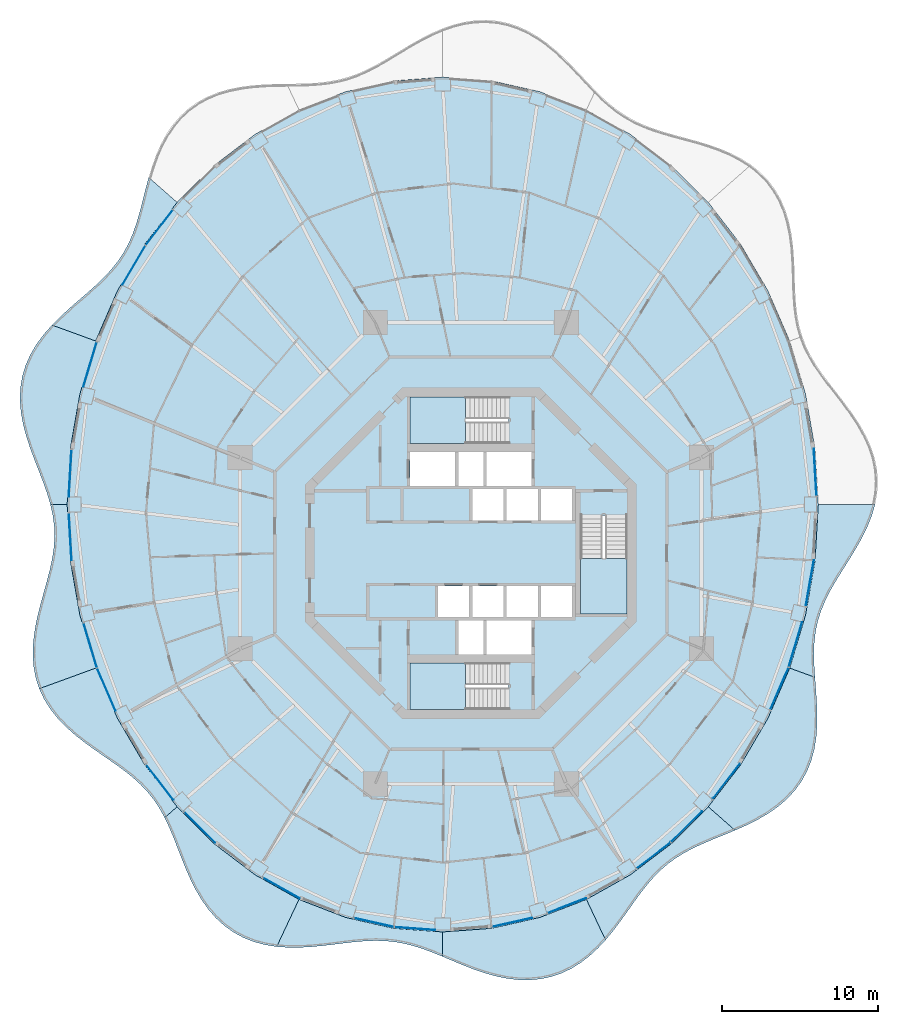
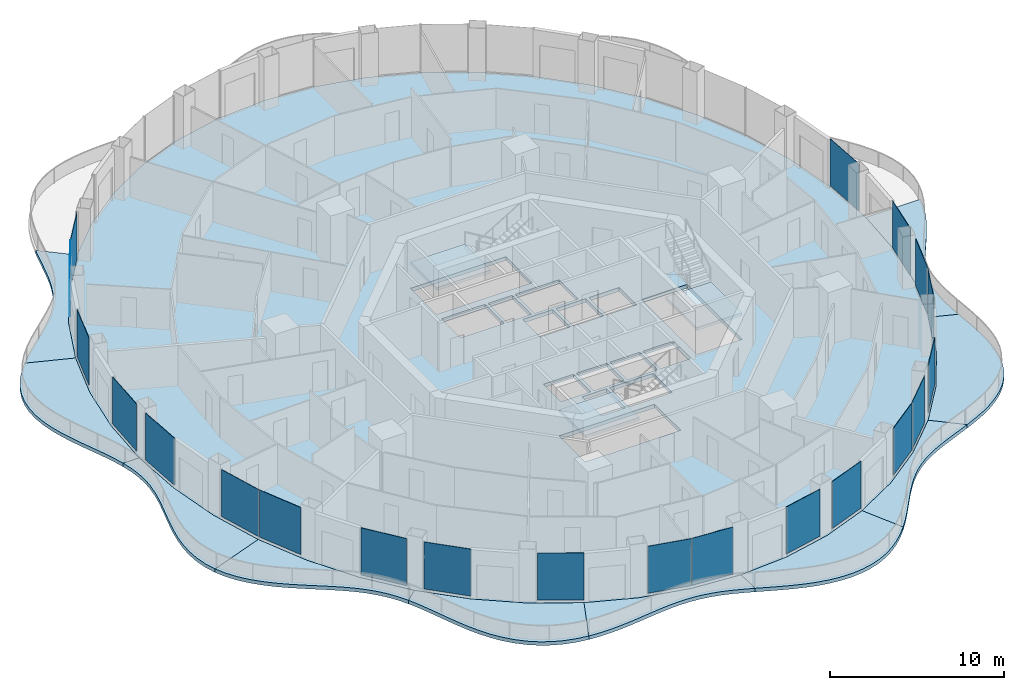
# One storey, part 8 of 18: 21 plates, 14 slabs, 24 elements without a shape of their own.
"""IFC4 building model written with IfcOpenShell, lengths in metres."""

import ifcopenshell
import ifcopenshell.guid

model = None  # the IFC model being written
_history = None  # IfcOwnerHistory: only IFC2X3 demands one
_inside = {}  # id of a spatial element -> (the spatial element, [elements in it])
_under = {}  # id of a project, library or spatial element -> (it, [spatial elements below it])
_declared = {}  # id of a project -> (the project, [libraries it declares])
_typed = {}  # id of a type object -> (the type object, [elements of that type])
_made_of = {}  # id of a material, layer set ... -> (it, [elements and type objects made of it])


def new_model(schema):
    """Start an empty IFC model of exactly this schema.

    Asked for "IFC4X3", IfcOpenShell would pick the latest addendum, in which some entities
    have other attributes; the version numbers below select the first issue.
    IFC2X3 requires an IfcOwnerHistory on every rooted entity: one is made here for all.
    """
    global model, _history
    if schema == "IFC4X3":
        model = ifcopenshell.file(schema_version=(4, 3, 0, 0))
    else:
        model = ifcopenshell.file(schema=schema)
    _inside.clear()
    _under.clear()
    _declared.clear()
    _typed.clear()
    _made_of.clear()
    _history = None
    if model.schema == "IFC2X3":
        org = make("IfcOrganization", Name="unknown")
        user = make(
            "IfcPersonAndOrganization",
            ThePerson=make("IfcPerson", FamilyName="unknown"),
            TheOrganization=org,
        )
        app = make(
            "IfcApplication",
            ApplicationDeveloper=org,
            Version="unknown",
            ApplicationFullName="unknown",
            ApplicationIdentifier="unknown",
        )
        _history = make(
            "IfcOwnerHistory",
            OwningUser=user,
            OwningApplication=app,
            ChangeAction="ADDED",
            CreationDate=0,
        )
    return model


def make(cls, **values):
    """One entity of the class cls with the attributes given. An attribute that is None is left unset."""
    return model.create_entity(
        cls, **{name: value for name, value in values.items() if value is not None}
    )


def rooted(cls, **values):
    """An entity with a GlobalId (a new one), such as an element, a storey or a relation."""
    return make(cls, GlobalId=ifcopenshell.guid.new(), OwnerHistory=_history, **values)


def si_unit(unit_type, name, prefix=None):
    """IfcSIUnit, for example si_unit("LENGTHUNIT", "METRE", prefix="MILLI")."""
    return make("IfcSIUnit", UnitType=unit_type, Prefix=prefix, Name=name)


def assignment(units):
    """IfcUnitAssignment: the units of a project."""
    return None if units is None else make("IfcUnitAssignment", Units=units)


def point(xyz):
    """IfcCartesianPoint."""
    return None if xyz is None else make("IfcCartesianPoint", Coordinates=xyz)


def direction(xyz):
    """IfcDirection."""
    return None if xyz is None else make("IfcDirection", DirectionRatios=xyz)


def frame(location, z_axis=None, x_axis=None):
    """IfcAxis2Placement3D, a coordinate frame: its origin and axes. An axis left out is left unset."""
    return make(
        "IfcAxis2Placement3D",
        Location=point(location),
        Axis=direction(z_axis),
        RefDirection=direction(x_axis),
    )


def frame_2d(location, x_axis=None):
    """IfcAxis2Placement2D, a coordinate frame in the plane: its origin and x axis."""
    return make(
        "IfcAxis2Placement2D", Location=point(location), RefDirection=direction(x_axis)
    )


def origin():
    """The frame at (0, 0, 0) with its axes left unset."""
    return frame((0.0, 0.0, 0.0))


def origin_2d():
    """The frame at (0, 0) in the plane with its x axis left unset."""
    return frame_2d((0.0, 0.0))


def place(relative_to, where):
    """IfcLocalPlacement: puts the frame where relative to a parent placement (None: the world)."""
    return make(
        "IfcLocalPlacement", PlacementRelTo=relative_to, RelativePlacement=where
    )


def context(
    kind, dimensions, precision=None, world=None, true_north=None, identifier=None
):
    """IfcGeometricRepresentationContext, for example the 3D "Model" context."""
    return make(
        "IfcGeometricRepresentationContext",
        ContextIdentifier=identifier,
        ContextType=kind,
        CoordinateSpaceDimension=dimensions,
        Precision=precision,
        WorldCoordinateSystem=world,
        TrueNorth=true_north,
    )


def subcontext(parent, identifier, kind, view, scale=None):
    """IfcGeometricRepresentationSubContext, for example "Body" below "Model"."""
    return make(
        "IfcGeometricRepresentationSubContext",
        ContextIdentifier=identifier,
        ContextType=kind,
        ParentContext=parent,
        TargetScale=scale,
        TargetView=view,
    )


def project(units=None, contexts=None):
    """IfcProject with its units and contexts."""
    return rooted(
        "IfcProject",
        Name="project",
        RepresentationContexts=contexts,
        UnitsInContext=assignment(units),
    )


def spatial(cls, under=None, at=None, **own):
    """A site, building, storey or space (cls), placed at a placement, below another one or the project."""
    s = rooted(cls, ObjectPlacement=at, **own)
    if under is not None:
        _under.setdefault(under.id(), (under, []))[1].append(s)
    return s


def polyline(points):
    """IfcPolyline through the points."""
    return make("IfcPolyline", Points=[point(p) for p in points])


def profile(cls, at=None, kind="AREA", **sizes):
    """A parametric profile (cls). Its sizes go by their IFC names, for example OverallWidth=200.0."""
    return make(cls, ProfileType=kind, Position=at, **sizes)


def rectangle(**sizes):
    """IfcRectangleProfileDef."""
    return profile("IfcRectangleProfileDef", **sizes)


def outline(outer, holes=None, kind="AREA"):
    """IfcArbitraryClosedProfileDef: a profile drawn as a closed curve; with holes, ...WithVoids."""
    if holes is None:
        return make("IfcArbitraryClosedProfileDef", ProfileType=kind, OuterCurve=outer)
    return make(
        "IfcArbitraryProfileDefWithVoids",
        ProfileType=kind,
        OuterCurve=outer,
        InnerCurves=holes,
    )


def extrude(swept, where, along, depth):
    """IfcExtrudedAreaSolid: the profile swept, set in the frame where, extruded along a direction by depth."""
    return make(
        "IfcExtrudedAreaSolid",
        SweptArea=swept,
        Position=where,
        ExtrudedDirection=direction(along),
        Depth=depth,
    )


def shape(context_of_items, identifier, shape_type, items):
    """IfcShapeRepresentation: the items that make up one representation, for example the "Body"."""
    return make(
        "IfcShapeRepresentation",
        ContextOfItems=context_of_items,
        RepresentationIdentifier=identifier,
        RepresentationType=shape_type,
        Items=items,
    )


def material(Name=None, Category=None):
    """IfcMaterial."""
    return make("IfcMaterial", Name=Name, Category=Category)


def layer(
    of_material, thickness, ventilated=None, Name=None, Category=None, Priority=None
):
    """IfcMaterialLayer: one layer of a wall or slab, of a material (None: an air gap)."""
    return make(
        "IfcMaterialLayer",
        Material=of_material,
        LayerThickness=thickness,
        IsVentilated=ventilated,
        Name=Name,
        Category=Category,
        Priority=Priority,
    )


def layer_set(layers, Name=None):
    """IfcMaterialLayerSet."""
    return make("IfcMaterialLayerSet", MaterialLayers=layers, LayerSetName=Name)


def made_of(thing, what):
    """Note that an element or type object is made of a material, layer set ...; save() writes the relation."""
    if what is not None:
        _made_of.setdefault(what.id(), (what, []))[1].append(thing)
    return thing


def type_object(cls, material=None, **own):
    """A type object (cls), such as IfcWallType, which elements share."""
    return made_of(rooted(cls, **own), material)


def element(
    cls,
    number,
    at=None,
    inside=None,
    cuts=None,
    type_object=None,
    material=None,
    context=None,
    identifier="Body",
    shape_type=None,
    held_by="IfcProductDefinitionShape",
    body=None,
    shapes=None,
    **own,
):
    """One element of the class cls, such as IfcWall. Its Tag is "e" and its number.

    at: its placement. inside: the storey or other place that contains it. cuts: it is an
    opening in that element (IfcRelVoidsElement). A single representation is given by context,
    identifier, shape_type and body (its items); several are given by shapes. held_by: the class
    of the entity that holds the representations. save() writes the other relations.
    """
    e = rooted(cls, Tag="e%d" % number, ObjectPlacement=at, **own)
    if body is not None:
        shapes = [shape(context, identifier, shape_type, body)]
    if shapes is not None:
        e.Representation = make(held_by, Representations=shapes)
    if inside is not None:
        _inside.setdefault(inside.id(), (inside, []))[1].append(e)
    if cuts is not None:
        rooted(
            "IfcRelVoidsElement", RelatingBuildingElement=cuts, RelatedOpeningElement=e
        )
    if type_object is not None:
        _typed.setdefault(type_object.id(), (type_object, []))[1].append(e)
    return made_of(e, material)


def aggregate(whole, parts):
    """IfcRelAggregates: a whole, such as a stair, and the parts it consists of."""
    return rooted("IfcRelAggregates", RelatingObject=whole, RelatedObjects=parts)


def save(model, path):
    """Write the relations noted so far, then the file.

    IfcRelAggregates (storeys below a building ...), IfcRelContainedInSpatialStructure (elements
    in a storey), IfcRelDefinesByType, IfcRelAssociatesMaterial and IfcRelDeclares: one each for
    every whole, place, type object, material and project.
    """
    for whole, parts in _under.values():
        aggregate(whole, parts)
    for where, things in _inside.values():
        rooted(
            "IfcRelContainedInSpatialStructure",
            RelatedElements=things,
            RelatingStructure=where,
        )
    for kind, things in _typed.values():
        rooted("IfcRelDefinesByType", RelatedObjects=things, RelatingType=kind)
    for what, things in _made_of.values():
        rooted("IfcRelAssociatesMaterial", RelatedObjects=things, RelatingMaterial=what)
    for by, libraries in _declared.values():
        rooted("IfcRelDeclares", RelatingContext=by, RelatedDefinitions=libraries)
    model.write(path)


model = new_model("IFC4")

# Units and contexts
model_context = context("Model", 3, precision=1e-05, world=origin(), true_north=direction((0.0, 1.0)))
body_context = subcontext(model_context, "Body", "Model", "MODEL_VIEW")
ifc_project = project(units=[si_unit("LENGTHUNIT", "METRE"), si_unit("AREAUNIT", "SQUARE_METRE"), si_unit("VOLUMEUNIT", "CUBIC_METRE"), si_unit("PLANEANGLEUNIT", "RADIAN"), si_unit("MASSUNIT", "GRAM", prefix="KILO")], contexts=[model_context])

# Site, building, storey
site_placement = place(None, origin())
site = spatial("IfcSite", under=ifc_project, at=site_placement, CompositionType="ELEMENT")
building_placement = place(site_placement, origin())
building = spatial("IfcBuilding", under=site, at=building_placement, Name="Nagisa Residences", CompositionType="ELEMENT")
storey_placement = place(building_placement, frame((0.0, 0.0, 215.89990234375)))
storey = spatial("IfcBuildingStorey", under=building, at=storey_placement, Name="L54", CompositionType="ELEMENT", Elevation=215.89990234375)

# Slabs
ifc_material_1 = material(Name="Concrete C40/50", Category="concrete")
ifc_layer_1 = layer(ifc_material_1, 0.25)
ifc_layer_set_1 = layer_set([ifc_layer_1], Name="BALCONY SLAB 250")
slab_type_1 = type_object("IfcSlabType", Name="BALCONY SLAB 250", PredefinedType="FLOOR", material=ifc_layer_set_1)
slab_1_placement = place(storey_placement, frame((0.0, 0.0, -0.25)))
element("IfcSlab", 1, at=slab_1_placement, inside=storey, type_object=slab_type_1, Name="slab:L54:bal06", PredefinedType="FLOOR", context=body_context, shape_type="SweptSolid", body=[
    extrude(outline(polyline([(-20.636474609375, 24.08154296875), (-20.837646484375, 23.327392578125), (-21.025390625, 22.583984375), (-21.2138671875, 21.861083984375), (-21.417236328125, 21.166259765625), (-21.648193359375, 20.50439453125), (-21.91748046875, 19.878173828125), (-22.233154296875, 19.287353515625), (-22.6005859375, 18.728759765625), (-23.0205078125, 18.197998046875), (-23.4912109375, 17.68798828125), (-24.006591796875, 17.19140625), (-24.557373046875, 16.699462890625), (-25.131103515625, 16.203857421875), (-25.71337890625, 15.6962890625), (-26.288330078125, 15.169921875), (-26.839111328125, 14.619140625), (-24.037841796875, 13.599365234375), (-22.645263671875, 16.812744140625), (-20.89599609375, 19.791748046875), (-18.820068359375, 22.4853515625), (-20.636474609375, 24.08154296875)])), origin(), (0.0, 0.0, 1.0), 0.25),
])
slab_2_placement = place(storey_placement, frame((0.0, 0.0, -0.25)))
element("IfcSlab", 2, at=slab_2_placement, inside=storey, type_object=slab_type_1, Name="slab:L54:bal07", PredefinedType="FLOOR", context=body_context, shape_type="SweptSolid", body=[
    extrude(outline(polyline([(-26.839111328125, 14.619140625), (-27.364990234375, 14.020751953125), (-27.8310546875, 13.3896484375), (-28.22314453125, 12.725830078125), (-28.52978515625, 12.03076171875), (-28.744140625, 11.30859375), (-28.863037109375, 10.56396484375), (-28.88818359375, 9.80322265625), (-28.82568359375, 9.032958984375), (-28.68603515625, 8.259765625), (-28.482666015625, 7.489501953125), (-28.232421875, 6.7275390625), (-27.9541015625, 5.977294921875), (-27.6669921875, 5.241455078125), (-27.389892578125, 4.5205078125), (-27.140380859375, 3.8134765625), (-26.934326171875, 3.11767578125), (-25.8701171875, 3.11767578125), (-25.6640625, 6.69287109375), (-25.0498046875, 10.206787109375), (-24.037841796875, 13.599365234375), (-26.839111328125, 14.619140625)])), origin(), (0.0, 0.0, 1.0), 0.25),
])
slab_3_placement = place(storey_placement, frame((0.0, 0.0, -0.25)))
element("IfcSlab", 3, at=slab_3_placement, inside=storey, type_object=slab_type_1, Name="slab:L54:bal08", PredefinedType="FLOOR", context=body_context, shape_type="SweptSolid", body=[
    extrude(outline(polyline([(-26.934326171875, 3.11767578125), (-26.782958984375, 2.4296875), (-26.694580078125, 1.74462890625), (-26.6728515625, 1.057861328125), (-26.71630859375, 0.364501953125), (-26.8193359375, -0.339599609375), (-26.972412109375, -1.05810546875), (-27.161376953125, -1.79296875), (-27.37060546875, -2.544189453125), (-27.5810546875, -3.310791015625), (-27.774169921875, -4.089599609375), (-27.9306640625, -4.8759765625), (-28.033447265625, -5.66357421875), (-28.067138671875, -6.4453125), (-28.01953125, -7.213623046875), (-27.883056640625, -7.9609375), (-27.653564453125, -8.68017578125), (-24.037841796875, -7.364013671875), (-25.0498046875, -3.971435546875), (-25.6640625, -0.45751953125), (-25.8701171875, 3.11767578125), (-26.934326171875, 3.11767578125)])), origin(), (0.0, 0.0, 1.0), 0.25),
])
slab_4_placement = place(storey_placement, frame((0.0, 0.0, -0.25)))
element("IfcSlab", 4, at=slab_4_placement, inside=storey, type_object=slab_type_1, Name="slab:L54:bal09", PredefinedType="FLOOR", context=body_context, shape_type="SweptSolid", body=[
    extrude(outline(polyline([(-27.653564453125, -8.68017578125), (-27.3427734375, -9.344970703125), (-26.9501953125, -9.9736328125), (-26.483154296875, -10.564697265625), (-25.953369140625, -11.117431640625), (-25.3740234375, -11.634033203125), (-24.7607421875, -12.118408203125), (-24.12939453125, -12.57666015625), (-23.49560546875, -13.0166015625), (-22.87451171875, -13.447021484375), (-22.279052734375, -13.877685546875), (-21.72021484375, -14.318359375), (-21.205078125, -14.7783203125), (-20.73828125, -15.26611328125), (-20.320068359375, -15.7880859375), (-19.94775390625, -16.348388671875), (-19.615478515625, -16.948974609375), (-18.820068359375, -16.25), (-20.89599609375, -13.556396484375), (-22.645263671875, -10.577392578125), (-24.037841796875, -7.364013671875), (-27.653564453125, -8.68017578125)])), origin(), (0.0, 0.0, 1.0), 0.25),
])
slab_5_placement = place(storey_placement, frame((0.0, 0.0, -0.25)))
element("IfcSlab", 5, at=slab_5_placement, inside=storey, type_object=slab_type_1, Name="slab:L54:bal10", PredefinedType="FLOOR", context=body_context, shape_type="SweptSolid", body=[
    extrude(outline(polyline([(-19.615478515625, -16.948974609375), (-19.32763671875, -17.557861328125), (-19.05859375, -18.198486328125), (-18.797607421875, -18.864990234375), (-18.532958984375, -19.54931640625), (-18.253662109375, -20.241455078125), (-17.94873046875, -20.9296875), (-17.60888671875, -21.601806640625), (-17.226318359375, -22.2451171875), (-16.795166015625, -22.84716796875), (-16.3125, -23.396728515625), (-15.77685546875, -23.8837890625), (-15.1904296875, -24.30078125), (-14.556640625, -24.642822265625), (-13.881591796875, -24.907958984375), (-13.172607421875, -25.096923828125), (-12.43798828125, -25.21435546875), (-11.01123046875, -22.187255859375), (-13.8349609375, -20.602783203125), (-16.452880859375, -18.6123046875), (-18.820068359375, -16.25), (-19.615478515625, -16.948974609375)])), origin(), (0.0, 0.0, 1.0), 0.25),
])
slab_6_placement = place(storey_placement, frame((0.0, 0.0, -0.25)))
element("IfcSlab", 6, at=slab_6_placement, inside=storey, type_object=slab_type_1, Name="slab:L54:bal11", PredefinedType="FLOOR", context=body_context, shape_type="SweptSolid", body=[
    extrude(outline(polyline([(-12.43798828125, -25.21435546875), (-11.7138671875, -25.265869140625), (-10.982421875, -25.266357421875), (-10.250732421875, -25.22607421875), (-9.525634765625, -25.1572265625), (-8.812255859375, -25.07275390625), (-8.11474609375, -24.985595703125), (-7.43505859375, -24.908447265625), (-6.774169921875, -24.85302734375), (-6.130615234375, -24.829345703125), (-5.501953125, -24.84521484375), (-4.884521484375, -24.9052734375), (-4.27392578125, -25.012451171875), (-3.6650390625, -25.16552734375), (-3.052734375, -25.36083984375), (-2.432373046875, -25.592041015625), (-1.800048828125, -25.849853515625), (-1.800048828125, -24.272216796875), (-4.941650390625, -24.0380859375), (-8.02978515625, -23.339111328125), (-11.01123046875, -22.187255859375), (-12.43798828125, -25.21435546875)])), origin(), (0.0, 0.0, 1.0), 0.25),
])
slab_7_placement = place(storey_placement, frame((0.0, 0.0, -0.25)))
element("IfcSlab", 7, at=slab_7_placement, inside=storey, type_object=slab_type_1, Name="slab:L54:bal12", PredefinedType="FLOOR", context=body_context, shape_type="SweptSolid", body=[
    extrude(outline(polyline([(-1.800048828125, -25.849853515625), (-1.152587890625, -26.122802734375), (-0.48876953125, -26.398193359375), (0.19140625, -26.662353515625), (0.886962890625, -26.90087890625), (1.5947265625, -27.100830078125), (2.310302734375, -27.2490234375), (3.028076171875, -27.3349609375), (3.742431640625, -27.349853515625), (4.446044921875, -27.287353515625), (5.133056640625, -27.144775390625), (5.796875, -26.921630859375), (6.432373046875, -26.620849609375), (7.03564453125, -26.24755859375), (7.604248046875, -25.810302734375), (8.13720703125, -25.319091796875), (8.6357421875, -24.78564453125), (7.4111328125, -22.187255859375), (4.4296875, -23.339111328125), (1.341796875, -24.0380859375), (-1.800048828125, -24.272216796875), (-1.800048828125, -25.849853515625)])), origin(), (0.0, 0.0, 1.0), 0.25),
])
slab_8_placement = place(storey_placement, frame((0.0, 0.0, -0.25)))
element("IfcSlab", 8, at=slab_8_placement, inside=storey, type_object=slab_type_1, Name="slab:L54:bal13", PredefinedType="FLOOR", context=body_context, shape_type="SweptSolid", body=[
    extrude(outline(polyline([(8.6357421875, -24.78564453125), (9.119873046875, -24.200927734375), (9.5751953125, -23.598876953125), (10.0087890625, -22.993896484375), (10.428955078125, -22.399169921875), (10.84423828125, -21.826171875), (11.264404296875, -21.284423828125), (11.698486328125, -20.78076171875), (12.154541015625, -20.3193359375), (12.63916015625, -19.901123046875), (13.1572265625, -19.5244140625), (13.711181640625, -19.1845703125), (14.30126953125, -18.87548828125), (14.925048828125, -18.588134765625), (15.5771484375, -18.31298828125), (16.25, -18.039306640625), (16.93408203125, -17.756103515625), (15.219970703125, -16.25), (12.852783203125, -18.6123046875), (10.235107421875, -20.602783203125), (7.4111328125, -22.187255859375), (8.6357421875, -24.78564453125)])), origin(), (0.0, 0.0, 1.0), 0.25),
])
slab_9_placement = place(storey_placement, frame((0.0, 0.0, -0.25)))
element("IfcSlab", 9, at=slab_9_placement, inside=storey, type_object=slab_type_1, Name="slab:L54:bal14", PredefinedType="FLOOR", context=body_context, shape_type="SweptSolid", body=[
    extrude(outline(polyline([(16.93408203125, -17.756103515625), (17.65185546875, -17.438232421875), (18.35546875, -17.087890625), (19.03076171875, -16.69677734375), (19.663330078125, -16.257568359375), (20.240234375, -15.7666015625), (20.75048828125, -15.221923828125), (21.18603515625, -14.624755859375), (21.541748046875, -13.978759765625), (21.81591796875, -13.289306640625), (22.010986328125, -12.564208984375), (22.1328125, -11.811767578125), (22.190185546875, -11.041015625), (22.196044921875, -10.261474609375), (22.1640625, -9.48193359375), (22.11083984375, -8.7099609375), (22.052734375, -7.951904296875), (20.437744140625, -7.364013671875), (19.045166015625, -10.577392578125), (17.2958984375, -13.556396484375), (15.219970703125, -16.25), (16.93408203125, -17.756103515625)])), origin(), (0.0, 0.0, 1.0), 0.25),
])
slab_10_placement = place(storey_placement, frame((0.0, 0.0, -0.25)))
element("IfcSlab", 10, at=slab_10_placement, inside=storey, type_object=slab_type_1, Name="slab:L54:bal15", PredefinedType="FLOOR", context=body_context, shape_type="SweptSolid", body=[
    extrude(outline(polyline([(22.052734375, -7.951904296875), (22.005126953125, -7.189208984375), (21.986328125, -6.449462890625), (22.0107421875, -5.733642578125), (22.089599609375, -5.040283203125), (22.22998046875, -4.36669921875), (22.43505859375, -3.708251953125), (22.702880859375, -3.0595703125), (23.02734375, -2.4150390625), (23.398681640625, -1.76806640625), (23.80224609375, -1.114013671875), (24.22216796875, -0.44775390625), (24.63916015625, 0.2333984375), (25.034423828125, 0.931396484375), (25.388427734375, 1.646240234375), (25.68408203125, 2.3759765625), (25.90576171875, 3.11767578125), (22.27001953125, 3.11767578125), (22.06396484375, -0.45751953125), (21.449951171875, -3.971435546875), (20.437744140625, -7.364013671875), (22.052734375, -7.951904296875)])), origin(), (0.0, 0.0, 1.0), 0.25),
])

# Curtain wall, plate
ifc_material_2 = material(Name="Concrete-coloured aluminium curtain wall system", Category="concrete")
ifc_layer_2 = layer(ifc_material_2, 0.159912109375)
ifc_layer_set_2 = layer_set([ifc_layer_2], Name="CW1 CURTAIN WALL")
curtain_wall_type = type_object("IfcCurtainWallType", Name="CW1 CURTAIN WALL", PredefinedType="NOTDEFINED", material=ifc_layer_set_2)
curtain_wall_1_placement = place(storey_placement, origin())
curtain_wall_1 = element("IfcCurtainWall", 11, at=curtain_wall_1_placement, inside=storey, type_object=curtain_wall_type, Name="cw:CW1:L54:00", PredefinedType="NOTDEFINED")
ifc_material_3 = material(Name="Clear laminated glass", Category="glass")
ifc_layer_3 = layer(ifc_material_3, 0.028076171875)
ifc_layer_set_3 = layer_set([ifc_layer_3], Name="CW1 GLASS PANEL")
plate_type = type_object("IfcPlateType", Name="CW1 GLASS PANEL", PredefinedType="CURTAIN_PANEL", material=ifc_layer_set_3)
plate_1_placement = place(storey_placement, frame((22.071044921875, 5.18017578125, 0.150146484375), z_axis=(0.0, 0.0, 1.0), x_axis=(-0.057503492216, 0.998345305184, 0.0)))
plate_1 = element("IfcPlate", 12, at=plate_1_placement, type_object=plate_type, Name="CW1 panel", PredefinedType="CURTAIN_PANEL", context=body_context, shape_type="SweptSolid", body=[
    extrude(rectangle(XDim=3.02099609375, YDim=0.028076171875, at=origin_2d()), origin(), (0.0, 0.0, 1.0), 3.2900390625),
])
aggregate(curtain_wall_1, [plate_1])

curtain_wall_2_placement = place(storey_placement, origin())
curtain_wall_2 = element("IfcCurtainWall", 13, at=curtain_wall_2_placement, inside=storey, type_object=curtain_wall_type, Name="cw:CW1:L54:18", PredefinedType="NOTDEFINED")
plate_2_placement = place(storey_placement, frame((-19.965576171875, 20.867919921875, 0.150146484375), z_axis=(0.0, 0.0, 1.0), x_axis=(-0.610429828235, -0.792070340816, 0.0)))
plate_2 = element("IfcPlate", 14, at=plate_2_placement, type_object=plate_type, Name="CW1 panel", PredefinedType="CURTAIN_PANEL", context=body_context, shape_type="SweptSolid", body=[
    extrude(rectangle(XDim=2.8408203125, YDim=0.028076171875, at=origin_2d()), origin(), (0.0, 0.0, 1.0), 3.2900390625),
])
aggregate(curtain_wall_2, [plate_2])

curtain_wall_3_placement = place(storey_placement, origin())
curtain_wall_3 = element("IfcCurtainWall", 15, at=curtain_wall_3_placement, inside=storey, type_object=curtain_wall_type, Name="cw:CW1:L54:19", PredefinedType="NOTDEFINED")
plate_3_placement = place(storey_placement, frame((-21.59033203125, 18.451416015625, 0.150146484375), z_axis=(0.0, 0.0, 1.0), x_axis=(-0.506348567002, -0.862328898214, 0.0)))
plate_3 = element("IfcPlate", 16, at=plate_3_placement, type_object=plate_type, Name="CW1 panel", PredefinedType="CURTAIN_PANEL", context=body_context, shape_type="SweptSolid", body=[
    extrude(rectangle(XDim=2.89453125, YDim=0.028076171875, at=origin_2d()), origin(), (0.0, 0.0, 1.0), 3.2900390625),
])
aggregate(curtain_wall_3, [plate_3])

curtain_wall_4_placement = place(storey_placement, origin())
curtain_wall_4 = element("IfcCurtainWall", 17, at=curtain_wall_4_placement, inside=storey, type_object=curtain_wall_type, Name="cw:CW1:L54:21", PredefinedType="NOTDEFINED")
plate_4_placement = place(storey_placement, frame((-24.404296875, 12.091064453125, 0.150146484375), z_axis=(0.0, 0.0, 1.0), x_axis=(-0.285860274038, -0.958271310082, 0.0)))
plate_4 = element("IfcPlate", 18, at=plate_4_placement, type_object=plate_type, Name="CW1 panel", PredefinedType="CURTAIN_PANEL", context=body_context, shape_type="SweptSolid", body=[
    extrude(rectangle(XDim=2.98046875, YDim=0.028076171875, at=origin_2d()), origin(), (0.0, 0.0, 1.0), 3.2900390625),
])
aggregate(curtain_wall_4, [plate_4])

curtain_wall_5_placement = place(storey_placement, origin())
curtain_wall_5 = element("IfcCurtainWall", 19, at=curtain_wall_5_placement, inside=storey, type_object=curtain_wall_type, Name="cw:CW1:L54:23", PredefinedType="NOTDEFINED")
plate_5_placement = place(storey_placement, frame((-25.674560546875, 5.120361328125, 0.150146484375), z_axis=(0.0, 0.0, 1.0), x_axis=(-0.057503492216, -0.998345305184, 0.0)))
plate_5 = element("IfcPlate", 20, at=plate_5_placement, type_object=plate_type, Name="CW1 panel", PredefinedType="CURTAIN_PANEL", context=body_context, shape_type="SweptSolid", body=[
    extrude(rectangle(XDim=3.02099609375, YDim=0.028076171875, at=origin_2d()), origin(), (0.0, 0.0, 1.0), 3.2900390625),
])
aggregate(curtain_wall_5, [plate_5])

curtain_wall_6_placement = place(storey_placement, origin())
curtain_wall_6 = element("IfcCurtainWall", 21, at=curtain_wall_6_placement, inside=storey, type_object=curtain_wall_type, Name="cw:CW1:L54:24", PredefinedType="NOTDEFINED")
plate_6_placement = place(storey_placement, frame((-25.671142578125, 1.05517578125, 0.150146484375), z_axis=(0.0, 0.0, 1.0), x_axis=(0.057503492216, -0.998345305184, 0.0)))
plate_6 = element("IfcPlate", 22, at=plate_6_placement, type_object=plate_type, Name="CW1 panel", PredefinedType="CURTAIN_PANEL", context=body_context, shape_type="SweptSolid", body=[
    extrude(rectangle(XDim=3.02099609375, YDim=0.028076171875, at=origin_2d()), origin(), (0.0, 0.0, 1.0), 3.2900390625),
])
aggregate(curtain_wall_6, [plate_6])

curtain_wall_7_placement = place(storey_placement, origin())
curtain_wall_7 = element("IfcCurtainWall", 23, at=curtain_wall_7_placement, inside=storey, type_object=curtain_wall_type, Name="cw:CW1:L54:26", PredefinedType="NOTDEFINED")
plate_7_placement = place(storey_placement, frame((-24.38720703125, -5.9130859375, 0.150146484375), z_axis=(0.0, 0.0, 1.0), x_axis=(0.285860274038, -0.958271310082, 0.0)))
plate_7 = element("IfcPlate", 24, at=plate_7_placement, type_object=plate_type, Name="CW1 panel", PredefinedType="CURTAIN_PANEL", context=body_context, shape_type="SweptSolid", body=[
    extrude(rectangle(XDim=2.98046875, YDim=0.028076171875, at=origin_2d()), origin(), (0.0, 0.0, 1.0), 3.2900390625),
])
aggregate(curtain_wall_7, [plate_7])

curtain_wall_8_placement = place(storey_placement, origin())
curtain_wall_8 = element("IfcCurtainWall", 25, at=curtain_wall_8_placement, inside=storey, type_object=curtain_wall_type, Name="cw:CW1:L54:27", PredefinedType="NOTDEFINED")
plate_8_placement = place(storey_placement, frame((-23.35546875, -8.737060546875, 0.150146484375), z_axis=(0.0, 0.0, 1.0), x_axis=(0.397635934147, -0.917543276295, 0.0)))
plate_8 = element("IfcPlate", 26, at=plate_8_placement, type_object=plate_type, Name="CW1 panel", PredefinedType="CURTAIN_PANEL", context=body_context, shape_type="SweptSolid", body=[
    extrude(rectangle(XDim=2.942138671875, YDim=0.028076171875, at=origin_2d()), origin(), (0.0, 0.0, 1.0), 3.2900390625),
])
aggregate(curtain_wall_8, [plate_8])

curtain_wall_9_placement = place(storey_placement, origin())
curtain_wall_9 = element("IfcCurtainWall", 27, at=curtain_wall_9_placement, inside=storey, type_object=curtain_wall_type, Name="cw:CW1:L54:29", PredefinedType="NOTDEFINED")
plate_9_placement = place(storey_placement, frame((-19.928955078125, -14.679931640625, 0.150146484375), z_axis=(0.0, 0.0, 1.0), x_axis=(0.610429828235, -0.792070340816, 0.0)))
plate_9 = element("IfcPlate", 28, at=plate_9_placement, type_object=plate_type, Name="CW1 panel", PredefinedType="CURTAIN_PANEL", context=body_context, shape_type="SweptSolid", body=[
    extrude(rectangle(XDim=2.8408203125, YDim=0.028076171875, at=origin_2d()), origin(), (0.0, 0.0, 1.0), 3.2900390625),
])
aggregate(curtain_wall_9, [plate_9])

curtain_wall_10_placement = place(storey_placement, origin())
curtain_wall_10 = element("IfcCurtainWall", 29, at=curtain_wall_10_placement, inside=storey, type_object=curtain_wall_type, Name="cw:CW1:L54:30", PredefinedType="NOTDEFINED")
plate_10_placement = place(storey_placement, frame((-17.3818359375, -17.572265625, 0.150146484375), z_axis=(0.0, 0.0, 1.0), x_axis=(0.707835924016, -0.706376885714, 0.0)))
plate_10 = element("IfcPlate", 30, at=plate_10_placement, type_object=plate_type, Name="CW1 panel", PredefinedType="CURTAIN_PANEL", context=body_context, shape_type="SweptSolid", body=[
    extrude(rectangle(XDim=2.7841796875, YDim=0.028076171875, at=origin_2d()), origin(), (0.0, 0.0, 1.0), 3.2900390625),
])
aggregate(curtain_wall_10, [plate_10])

curtain_wall_11_placement = place(storey_placement, origin())
curtain_wall_11 = element("IfcCurtainWall", 31, at=curtain_wall_11_placement, inside=storey, type_object=curtain_wall_type, Name="cw:CW1:L54:32", PredefinedType="NOTDEFINED")
plate_11_placement = place(storey_placement, frame((-12.1396484375, -21.46240234375, 0.150146484375), z_axis=(0.0, 0.0, 1.0), x_axis=(0.872072377523, -0.489376918501, 0.0)))
plate_11 = element("IfcPlate", 32, at=plate_11_placement, type_object=plate_type, Name="CW1 panel", PredefinedType="CURTAIN_PANEL", context=body_context, shape_type="SweptSolid", body=[
    extrude(rectangle(XDim=2.677978515625, YDim=0.028076171875, at=origin_2d()), origin(), (0.0, 0.0, 1.0), 3.2900390625),
])
aggregate(curtain_wall_11, [plate_11])

curtain_wall_12_placement = place(storey_placement, origin())
curtain_wall_12 = element("IfcCurtainWall", 33, at=curtain_wall_12_placement, inside=storey, type_object=curtain_wall_type, Name="cw:CW1:L54:34", PredefinedType="NOTDEFINED")
plate_12_placement = place(storey_placement, frame((-6.195068359375, -23.67236328125, 0.150146484375), z_axis=(0.0, 0.0, 1.0), x_axis=(0.975327274089, -0.2207639201, 0.0)))
plate_12 = element("IfcPlate", 34, at=plate_12_placement, type_object=plate_type, Name="CW1 panel", PredefinedType="CURTAIN_PANEL", context=body_context, shape_type="SweptSolid", body=[
    extrude(rectangle(XDim=2.606201171875, YDim=0.028076171875, at=origin_2d()), origin(), (0.0, 0.0, 1.0), 3.2900390625),
])
aggregate(curtain_wall_12, [plate_12])

curtain_wall_13_placement = place(storey_placement, origin())
curtain_wall_13 = element("IfcCurtainWall", 35, at=curtain_wall_13_placement, inside=storey, type_object=curtain_wall_type, Name="cw:CW1:L54:35", PredefinedType="NOTDEFINED")
plate_13_placement = place(storey_placement, frame((-3.584228515625, -24.05908203125, 0.150146484375), z_axis=(0.0, 0.0, 1.0), x_axis=(0.997230168512, -0.074377355493, 0.0)))
plate_13 = element("IfcPlate", 36, at=plate_13_placement, type_object=plate_type, Name="CW1 panel", PredefinedType="CURTAIN_PANEL", context=body_context, shape_type="SweptSolid", body=[
    extrude(rectangle(XDim=2.590576171875, YDim=0.028076171875, at=origin_2d()), origin(), (0.0, 0.0, 1.0), 3.2900390625),
])
aggregate(curtain_wall_13, [plate_13])

curtain_wall_14_placement = place(storey_placement, origin())
curtain_wall_14 = element("IfcCurtainWall", 37, at=curtain_wall_14_placement, inside=storey, type_object=curtain_wall_type, Name="cw:CW1:L54:37", PredefinedType="NOTDEFINED")
plate_14_placement = place(storey_placement, frame((2.653564453125, -23.658935546875, 0.150146484375), z_axis=(0.0, 0.0, 1.0), x_axis=(0.975327274089, 0.2207639201, 0.0)))
plate_14 = element("IfcPlate", 38, at=plate_14_placement, type_object=plate_type, Name="CW1 panel", PredefinedType="CURTAIN_PANEL", context=body_context, shape_type="SweptSolid", body=[
    extrude(rectangle(XDim=2.606201171875, YDim=0.028076171875, at=origin_2d()), origin(), (0.0, 0.0, 1.0), 3.2900390625),
])
aggregate(curtain_wall_14, [plate_14])

curtain_wall_15_placement = place(storey_placement, origin())
curtain_wall_15 = element("IfcCurtainWall", 39, at=curtain_wall_15_placement, inside=storey, type_object=curtain_wall_type, Name="cw:CW1:L54:38", PredefinedType="NOTDEFINED")
plate_15_placement = place(storey_placement, frame((6.15283203125, -22.587646484375, 0.150146484375), z_axis=(0.0, 0.0, 1.0), x_axis=(0.932825759707, 0.360327770268, 0.0)))
plate_15 = element("IfcPlate", 40, at=plate_15_placement, type_object=plate_type, Name="CW1 panel", PredefinedType="CURTAIN_PANEL", context=body_context, shape_type="SweptSolid", body=[
    extrude(rectangle(XDim=2.63623046875, YDim=0.028076171875, at=origin_2d()), origin(), (0.0, 0.0, 1.0), 3.2900390625),
])
aggregate(curtain_wall_15, [plate_15])

curtain_wall_16_placement = place(storey_placement, origin())
curtain_wall_16 = element("IfcCurtainWall", 41, at=curtain_wall_16_placement, inside=storey, type_object=curtain_wall_type, Name="cw:CW1:L54:40", PredefinedType="NOTDEFINED")
plate_16_placement = place(storey_placement, frame((11.718505859375, -19.374267578125, 0.150146484375), z_axis=(0.0, 0.0, 1.0), x_axis=(0.79603132756, 0.605255421737, 0.0)))
plate_16 = element("IfcPlate", 42, at=plate_16_placement, type_object=plate_type, Name="CW1 panel", PredefinedType="CURTAIN_PANEL", context=body_context, shape_type="SweptSolid", body=[
    extrude(rectangle(XDim=2.728759765625, YDim=0.028076171875, at=origin_2d()), origin(), (0.0, 0.0, 1.0), 3.2900390625),
])
aggregate(curtain_wall_16, [plate_16])

curtain_wall_17_placement = place(storey_placement, origin())
curtain_wall_17 = element("IfcCurtainWall", 43, at=curtain_wall_17_placement, inside=storey, type_object=curtain_wall_type, Name="cw:CW1:L54:41", PredefinedType="NOTDEFINED")
plate_17_placement = place(storey_placement, frame((13.82421875, -17.52978515625, 0.150146484375), z_axis=(0.0, 0.0, 1.0), x_axis=(0.707835924016, 0.706376885714, 0.0)))
plate_17 = element("IfcPlate", 44, at=plate_17_placement, type_object=plate_type, Name="CW1 panel", PredefinedType="CURTAIN_PANEL", context=body_context, shape_type="SweptSolid", body=[
    extrude(rectangle(XDim=2.7841796875, YDim=0.028076171875, at=origin_2d()), origin(), (0.0, 0.0, 1.0), 3.2900390625),
])
aggregate(curtain_wall_17, [plate_17])

curtain_wall_18_placement = place(storey_placement, origin())
curtain_wall_18 = element("IfcCurtainWall", 45, at=curtain_wall_18_placement, inside=storey, type_object=curtain_wall_type, Name="cw:CW1:L54:42", PredefinedType="NOTDEFINED")
plate_18_placement = place(storey_placement, frame((16.365478515625, -14.632568359375, 0.150146484375), z_axis=(0.0, 0.0, 1.0), x_axis=(0.610429828235, 0.792070340816, 0.0)))
plate_18 = element("IfcPlate", 46, at=plate_18_placement, type_object=plate_type, Name="CW1 panel", PredefinedType="CURTAIN_PANEL", context=body_context, shape_type="SweptSolid", body=[
    extrude(rectangle(XDim=2.8408203125, YDim=0.028076171875, at=origin_2d()), origin(), (0.0, 0.0, 1.0), 3.2900390625),
])
aggregate(curtain_wall_18, [plate_18])

curtain_wall_19_placement = place(storey_placement, origin())
curtain_wall_19 = element("IfcCurtainWall", 47, at=curtain_wall_19_placement, inside=storey, type_object=curtain_wall_type, Name="cw:CW1:L54:44", PredefinedType="NOTDEFINED")
plate_19_placement = place(storey_placement, frame((19.779541015625, -8.681884765625, 0.150146484375), z_axis=(0.0, 0.0, 1.0), x_axis=(0.397635934147, 0.917543276295, 0.0)))
plate_19 = element("IfcPlate", 48, at=plate_19_placement, type_object=plate_type, Name="CW1 panel", PredefinedType="CURTAIN_PANEL", context=body_context, shape_type="SweptSolid", body=[
    extrude(rectangle(XDim=2.942138671875, YDim=0.028076171875, at=origin_2d()), origin(), (0.0, 0.0, 1.0), 3.2900390625),
])
aggregate(curtain_wall_19, [plate_19])

curtain_wall_20_placement = place(storey_placement, origin())
curtain_wall_20 = element("IfcCurtainWall", 49, at=curtain_wall_20_placement, inside=storey, type_object=curtain_wall_type, Name="cw:CW1:L54:45", PredefinedType="NOTDEFINED")
plate_20_placement = place(storey_placement, frame((20.80419921875, -5.855712890625, 0.150146484375), z_axis=(0.0, 0.0, 1.0), x_axis=(0.285860274038, 0.958271310082, 0.0)))
plate_20 = element("IfcPlate", 50, at=plate_20_placement, type_object=plate_type, Name="CW1 panel", PredefinedType="CURTAIN_PANEL", context=body_context, shape_type="SweptSolid", body=[
    extrude(rectangle(XDim=2.98046875, YDim=0.028076171875, at=origin_2d()), origin(), (0.0, 0.0, 1.0), 3.2900390625),
])
aggregate(curtain_wall_20, [plate_20])

curtain_wall_21_placement = place(storey_placement, origin())
curtain_wall_21 = element("IfcCurtainWall", 51, at=curtain_wall_21_placement, inside=storey, type_object=curtain_wall_type, Name="cw:CW1:L54:46", PredefinedType="NOTDEFINED")
plate_21_placement = place(storey_placement, frame((21.726318359375, -1.9248046875, 0.150146484375), z_axis=(0.0, 0.0, 1.0), x_axis=(0.172190868898, 0.985063604377, 0.0)))
plate_21 = element("IfcPlate", 52, at=plate_21_placement, type_object=plate_type, Name="CW1 panel", PredefinedType="CURTAIN_PANEL", context=body_context, shape_type="SweptSolid", body=[
    extrude(rectangle(XDim=3.00732421875, YDim=0.028076171875, at=origin_2d()), origin(), (0.0, 0.0, 1.0), 3.2900390625),
])
aggregate(curtain_wall_21, [plate_21])

# Slab
ifc_material_4 = material(Name="Concrete C40", Category="concrete")
ifc_layer_4 = layer(ifc_material_4, 0.260009765625)
ifc_layer_set_4 = layer_set([ifc_layer_4], Name="Floor slab 260")
slab_type_2 = type_object("IfcSlabType", Name="Floor slab 260", PredefinedType="FLOOR", material=ifc_layer_set_4)
slab_11_placement = place(storey_placement, frame((0.0, 0.0, -0.260009765625)))
element("IfcSlab", 53, at=slab_11_placement, inside=storey, type_object=slab_type_2, Name="slab:L54:floor", PredefinedType="FLOOR", context=body_context, shape_type="SweptSolid", body=[
    extrude(outline(polyline([(22.27001953125, 3.11767578125), (22.06396484375, 6.69287109375), (21.449951171875, 10.206787109375), (20.437744140625, 13.599365234375), (19.045166015625, 16.812744140625), (17.2958984375, 19.791748046875), (15.219970703125, 22.4853515625), (12.852783203125, 24.84765625), (10.235107421875, 26.838134765625), (7.4111328125, 28.4228515625), (4.4296875, 29.574462890625), (1.341796875, 30.2734375), (-1.800048828125, 30.5078125), (-4.941650390625, 30.2734375), (-8.02978515625, 29.574462890625), (-11.01123046875, 28.4228515625), (-13.8349609375, 26.838134765625), (-16.452880859375, 24.84765625), (-18.820068359375, 22.4853515625), (-20.89599609375, 19.791748046875), (-22.645263671875, 16.812744140625), (-24.037841796875, 13.599365234375), (-25.0498046875, 10.206787109375), (-25.6640625, 6.69287109375), (-25.8701171875, 3.11767578125), (-25.6640625, -0.45751953125), (-25.0498046875, -3.971435546875), (-24.037841796875, -7.364013671875), (-22.645263671875, -10.577392578125), (-20.89599609375, -13.556396484375), (-18.820068359375, -16.25), (-16.452880859375, -18.6123046875), (-13.8349609375, -20.602783203125), (-11.01123046875, -22.187255859375), (-8.02978515625, -23.339111328125), (-4.941650390625, -24.0380859375), (-1.800048828125, -24.272216796875), (1.341796875, -24.0380859375), (4.4296875, -23.339111328125), (7.4111328125, -22.187255859375), (10.235107421875, -20.602783203125), (12.852783203125, -18.6123046875), (15.219970703125, -16.25), (17.2958984375, -13.556396484375), (19.045166015625, -10.577392578125), (20.437744140625, -7.364013671875), (21.449951171875, -3.971435546875), (22.06396484375, -0.45751953125), (22.27001953125, 3.11767578125)]), holes=[polyline([(2.10009765625, 2.10009765625), (2.10009765625, 4.10009765625), (0.10009765625, 4.10009765625), (0.10009765625, 2.10009765625), (2.10009765625, 2.10009765625)]), polyline([(4.300048828125, 2.10009765625), (4.300048828125, 4.10009765625), (2.300048828125, 4.10009765625), (2.300048828125, 2.10009765625), (4.300048828125, 2.10009765625)]), polyline([(6.5, 2.10009765625), (6.5, 4.10009765625), (4.5, 4.10009765625), (4.5, 2.10009765625), (6.5, 2.10009765625)]), polyline([(-0.10009765625, -4.10009765625), (-0.10009765625, -2.10009765625), (-2.10009765625, -2.10009765625), (-2.10009765625, -4.10009765625), (-0.10009765625, -4.10009765625)]), polyline([(2.10009765625, -4.10009765625), (2.10009765625, -2.10009765625), (0.10009765625, -2.10009765625), (0.10009765625, -4.10009765625), (2.10009765625, -4.10009765625)]), polyline([(4.300048828125, -4.10009765625), (4.300048828125, -2.10009765625), (2.300048828125, -2.10009765625), (2.300048828125, -4.10009765625), (4.300048828125, -4.10009765625)]), polyline([(6.5, -4.10009765625), (6.5, -2.10009765625), (4.5, -2.10009765625), (4.5, -4.10009765625), (6.5, -4.10009765625)]), polyline([(3.89990234375, 4.300048828125), (3.89990234375, 6.5), (1.0, 6.5), (1.0, 4.300048828125), (3.89990234375, 4.300048828125)]), polyline([(3.89990234375, -6.5), (3.89990234375, -4.300048828125), (1.0, -4.300048828125), (1.0, -6.5), (3.89990234375, -6.5)]), polyline([(-1.0, 4.300048828125), (-1.0, 6.5), (-3.89990234375, 6.5), (-3.89990234375, 4.300048828125), (-1.0, 4.300048828125)]), polyline([(0.800048828125, 4.300048828125), (0.800048828125, 6.5), (-0.800048828125, 6.5), (-0.800048828125, 4.300048828125), (0.800048828125, 4.300048828125)]), polyline([(0.800048828125, -6.5), (0.800048828125, -4.300048828125), (-0.800048828125, -4.300048828125), (-0.800048828125, -6.5), (0.800048828125, -6.5)]), polyline([(10.024658203125, -3.89990234375), (7.024658203125, -3.89990234375), (7.024658203125, 2.425048828125), (10.024658203125, 2.425048828125), (10.024658203125, -3.89990234375)]), polyline([(-3.89990234375, 7.024658203125), (-3.89990234375, 10.024658203125), (2.425048828125, 10.024658203125), (2.425048828125, 7.024658203125), (-3.89990234375, 7.024658203125)]), polyline([(-3.89990234375, -10.024658203125), (-3.89990234375, -7.024658203125), (2.425048828125, -7.024658203125), (2.425048828125, -10.024658203125), (-3.89990234375, -10.024658203125)])]), origin(), (0.0, 0.0, 1.0), 0.260009765625),
])

# Stair, slab
ifc_material_5 = material(Name="Concrete C60", Category="concrete")
stair_type = type_object("IfcStairType", Name="Exit stair", PredefinedType="HALF_TURN_STAIR", material=ifc_material_5)
stair_1_placement = place(storey_placement, origin())
stair_1 = element("IfcStair", 54, at=stair_1_placement, inside=storey, type_object=stair_type, Name="L54 Exit stair E", PredefinedType="HALF_TURN_STAIR")
ifc_material_6 = material(Name="Concrete C60", Category="concrete")
ifc_layer_5 = layer(ifc_material_6, 0.199951171875)
ifc_layer_set_5 = layer_set([ifc_layer_5], Name="Stair landing")
slab_type_3 = type_object("IfcSlabType", Name="Stair landing", PredefinedType="LANDING", material=ifc_layer_set_5)
slab_12_placement = place(storey_placement, frame((0.0, 0.0, 1.650146484375)))
slab_12 = element("IfcSlab", 55, at=slab_12_placement, type_object=slab_type_3, Name="ST-E landing 1", PredefinedType="LANDING", context=body_context, shape_type="SweptSolid", body=[
    extrude(outline(polyline([(7.024658203125, -0.324951171875), (7.024658203125, -3.89990234375), (10.024658203125, -3.89990234375), (10.024658203125, -0.324951171875), (7.024658203125, -0.324951171875)])), origin(), (0.0, 0.0, 1.0), 0.199951171875),
])
aggregate(stair_1, [slab_12])

stair_2_placement = place(storey_placement, origin())
stair_2 = element("IfcStair", 56, at=stair_2_placement, inside=storey, type_object=stair_type, Name="L54 Exit stair N", PredefinedType="HALF_TURN_STAIR")
slab_13_placement = place(storey_placement, frame((0.0, 0.0, 1.650146484375)))
slab_13 = element("IfcSlab", 57, at=slab_13_placement, type_object=slab_type_3, Name="ST-N landing 1", PredefinedType="LANDING", context=body_context, shape_type="SweptSolid", body=[
    extrude(outline(polyline([(-0.324951171875, 10.024658203125), (-3.89990234375, 10.024658203125), (-3.89990234375, 7.024658203125), (-0.324951171875, 7.024658203125), (-0.324951171875, 10.024658203125)])), origin(), (0.0, 0.0, 1.0), 0.199951171875),
])
aggregate(stair_2, [slab_13])

stair_3_placement = place(storey_placement, origin())
stair_3 = element("IfcStair", 58, at=stair_3_placement, inside=storey, type_object=stair_type, Name="L54 Exit stair S", PredefinedType="HALF_TURN_STAIR")
slab_14_placement = place(storey_placement, frame((0.0, 0.0, 1.650146484375)))
slab_14 = element("IfcSlab", 59, at=slab_14_placement, type_object=slab_type_3, Name="ST-S landing 1", PredefinedType="LANDING", context=body_context, shape_type="SweptSolid", body=[
    extrude(outline(polyline([(-0.324951171875, -7.024658203125), (-3.89990234375, -7.024658203125), (-3.89990234375, -10.024658203125), (-0.324951171875, -10.024658203125), (-0.324951171875, -7.024658203125)])), origin(), (0.0, 0.0, 1.0), 0.199951171875),
])
aggregate(stair_3, [slab_14])

save(model, "model.ifc")
